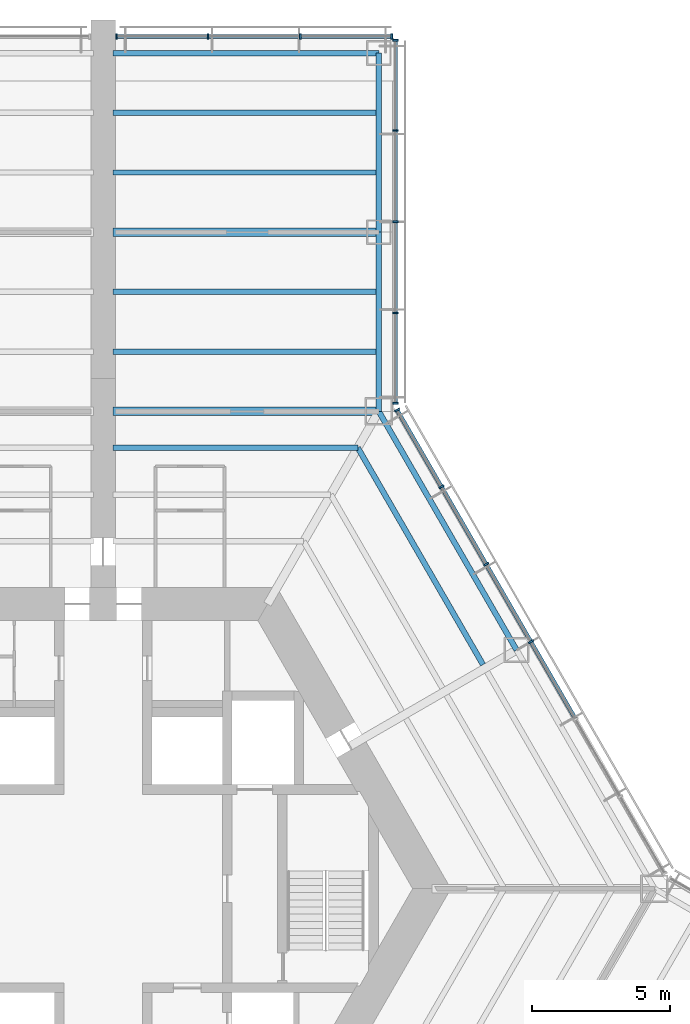
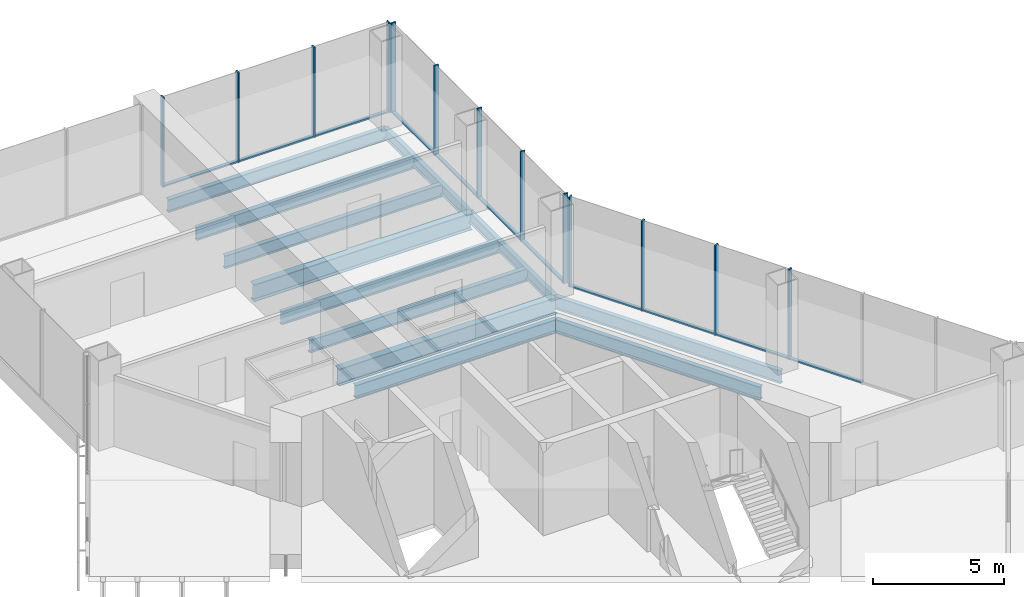
# One storey, part 7 of 15: 24 members, 12 beams, 3 elements without a shape of their own.
"""IFC4 building model written with IfcOpenShell, lengths in metres."""

from ifc_helpers import new_model, si_unit, direction, frame, origin, origin_2d, place, context, subcontext, project, spatial, rectangle, i_section, extrude, material, material_profile, profile_set, type_object, element, aggregate, save


model = new_model("IFC4")

# Units and contexts
model_context = context("Model", 3, precision=1e-05, world=origin(), true_north=direction((0.0, 1.0)))
body_context = subcontext(model_context, "Body", "Model", "MODEL_VIEW")
ifc_project = project(units=[si_unit("LENGTHUNIT", "METRE"), si_unit("AREAUNIT", "SQUARE_METRE"), si_unit("VOLUMEUNIT", "CUBIC_METRE"), si_unit("PLANEANGLEUNIT", "RADIAN"), si_unit("MASSUNIT", "GRAM", prefix="KILO")], contexts=[model_context])

# Site, building, storey
site_placement = place(None, origin())
site = spatial("IfcSite", under=ifc_project, at=site_placement, CompositionType="ELEMENT")
building_placement = place(site_placement, origin())
building = spatial("IfcBuilding", under=site, at=building_placement, Name="Kasaneha Research Tower", CompositionType="ELEMENT")
storey_placement = place(building_placement, frame((0.0, 0.0, 39.39990234375)))
storey = spatial("IfcBuildingStorey", under=building, at=storey_placement, Name="L10", CompositionType="ELEMENT", Elevation=39.39990234375)

# Beams
ifc_material_1 = material(Name="Steel SN490B", Category="steel")
ifc_material_profile_1 = material_profile(ifc_material_1, i_section(OverallWidth=0.199951171875, OverallDepth=0.60009765625, WebThickness=0.010986328125, FlangeThickness=0.01708984375, FilletRadius=0.012939453125, at=origin_2d()), Name="H-600x200x11x17")
ifc_profile_set_1 = profile_set([ifc_material_profile_1], Name="Steel SN490B")
beam_type_1 = type_object("IfcBeamType", Name="B1-2 secondary beam H-600x200x11x17", PredefinedType="JOIST", material=ifc_profile_set_1)
beam_1_placement = place(storey_placement, frame((9.237548828125, 16.0, -0.469970703125), z_axis=(0.500010814234, -0.866019160093, 0.0), x_axis=(0.866019160093, 0.500010814234, 0.0)))
element("IfcBeam", 1, at=beam_1_placement, inside=storey, type_object=beam_type_1, Name="Secondary beam RS030R3 L10", PredefinedType="JOIST", context=body_context, shape_type="SweptSolid", body=[
    extrude(i_section(OverallWidth=0.199951171875, OverallDepth=0.60009765625, WebThickness=0.010986328125, FlangeThickness=0.01708984375, FilletRadius=0.012939453125, at=origin_2d()), origin(), (0.0, 0.0, 1.0), 9.087646484375),
])
beam_2_placement = place(storey_placement, frame((9.237548828125, 16.0, -0.469970703125), z_axis=(-1.0, 0.0, 0.0), x_axis=(0.0, -1.0, 0.0)))
element("IfcBeam", 2, at=beam_2_placement, inside=storey, type_object=beam_type_1, Name="Secondary beam RS090L3 L10", PredefinedType="JOIST", context=body_context, shape_type="SweptSolid", body=[
    extrude(i_section(OverallWidth=0.199951171875, OverallDepth=0.60009765625, WebThickness=0.010986328125, FlangeThickness=0.01708984375, FilletRadius=0.012939453125, at=origin_2d()), origin(), (0.0, 0.0, 1.0), 8.887451171875),
])
ifc_material_2 = material(Name="Steel SN490B", Category="steel")
ifc_material_profile_2 = material_profile(ifc_material_2, i_section(OverallWidth=0.198974609375, OverallDepth=0.595947265625, WebThickness=0.010009765625, FlangeThickness=0.014892578125, FilletRadius=0.012939453125, at=origin_2d()), Name="H-596x199x10x15")
ifc_profile_set_2 = profile_set([ifc_material_profile_2], Name="Steel SN490B")
beam_type_2 = type_object("IfcBeamType", Name="B2-2 secondary beam H-596x199x10x15", PredefinedType="JOIST", material=ifc_profile_set_2)
for number, where, z_axis, x_axis, name in (
    (3, (10.0, 19.487060546875, -0.468017578125), (-1.0, 0.0, 0.0), (0.0, -1.0, 0.0), "Secondary beam WBAP1 L10"),
    (4, (10.0, 21.65380859375, -0.468017578125), (-1.0, 0.0, 0.0), (0.0, -1.0, 0.0), "Secondary beam WBAP2 L10"),
    (5, (10.0, 25.987060546875, -0.468017578125), (-1.0, 0.0, 0.0), (0.0, -1.0, 0.0), "Secondary beam WBAP3 L10"),
    (6, (10.0, 28.15380859375, -0.468017578125), (-1.0, 0.0, 0.0), (0.0, -1.0, 0.0), "Secondary beam WBAP4 L10"),
):
    element("IfcBeam", number, at=place(storey_placement, frame(where, z_axis=z_axis, x_axis=x_axis)), inside=storey, type_object=beam_type_2, Name=name, PredefinedType="JOIST", context=body_context, shape_type="SweptSolid", body=[
        extrude(i_section(OverallWidth=0.198974609375, OverallDepth=0.595947265625, WebThickness=0.010009765625, FlangeThickness=0.014892578125, FilletRadius=0.012939453125, at=origin_2d()), origin(), (0.0, 0.0, 1.0), 9.64990234375),
    ])

# Curtain wall, members
ifc_material_3 = material(Name="Glass and aluminium", Category="aluminium")
curtain_wall_type = type_object("IfcCurtainWallType", Name="Dry laboratory curtain wall", PredefinedType="USERDEFINED", material=ifc_material_3)
curtain_wall_1_placement = place(storey_placement, origin())
curtain_wall_1 = element("IfcCurtainWall", 7, at=curtain_wall_1_placement, inside=storey, type_object=curtain_wall_type, Name="CW-L2 L10 run 07a", ObjectType="UNITISED CURTAIN WALL", PredefinedType="USERDEFINED")
ifc_material_4 = material(Name="Aluminium 6063-T6", Category="aluminium")
ifc_material_profile_3 = material_profile(ifc_material_4, rectangle(XDim=0.06494140625, YDim=0.199951171875, at=origin_2d()), Name="CW-L2 mullion 65x200")
ifc_profile_set_3 = profile_set([ifc_material_profile_3], Name="Aluminium 6063-T6")
member_type_1 = type_object("IfcMemberType", Name="CW-L2 mullion", PredefinedType="MULLION", material=ifc_profile_set_3)
member_1_placement = place(storey_placement, frame((15.51953125, 8.960205078125, 0.0), z_axis=(0.0, 0.0, 1.0), x_axis=(-0.49999996188, 0.866025425793, 0.0)))
member_1 = element("IfcMember", 8, at=member_1_placement, type_object=member_type_1, Name="CW-L2 mullion 4", PredefinedType="MULLION", context=body_context, shape_type="SweptSolid", body=[
    extrude(rectangle(XDim=0.06494140625, YDim=0.199951171875, at=origin_2d()), origin(), (0.0, 0.0, 1.0), 4.2001953125),
])
member_2_placement = place(storey_placement, frame((13.896484375, 11.771728515625, 0.0), z_axis=(0.0, 0.0, 1.0), x_axis=(-0.49999996188, 0.866025425793, 0.0)))
member_2 = element("IfcMember", 9, at=member_2_placement, type_object=member_type_1, Name="CW-L2 mullion 5", PredefinedType="MULLION", context=body_context, shape_type="SweptSolid", body=[
    extrude(rectangle(XDim=0.06494140625, YDim=0.199951171875, at=origin_2d()), origin(), (0.0, 0.0, 1.0), 4.2001953125),
])
member_3_placement = place(storey_placement, frame((12.273193359375, 14.583251953125, 0.0), z_axis=(0.0, 0.0, 1.0), x_axis=(-0.49999996188, 0.866025425793, 0.0)))
member_3 = element("IfcMember", 10, at=member_3_placement, type_object=member_type_1, Name="CW-L2 mullion 6", PredefinedType="MULLION", context=body_context, shape_type="SweptSolid", body=[
    extrude(rectangle(XDim=0.06494140625, YDim=0.199951171875, at=origin_2d()), origin(), (0.0, 0.0, 1.0), 4.2001953125),
])
member_4_placement = place(storey_placement, frame((10.666259765625, 17.366455078125, 0.0), z_axis=(0.0, 0.0, 1.0), x_axis=(-0.49999996188, 0.866025425793, 0.0)))
member_4 = element("IfcMember", 11, at=member_4_placement, type_object=member_type_1, Name="CW-L2 mullion 7", PredefinedType="MULLION", context=body_context, shape_type="SweptSolid", body=[
    extrude(rectangle(XDim=0.06494140625, YDim=0.199951171875, at=origin_2d()), origin(), (0.0, 0.0, 1.0), 4.2001953125),
])

curtain_wall_2_placement = place(storey_placement, origin())
curtain_wall_2 = element("IfcCurtainWall", 12, at=curtain_wall_2_placement, inside=storey, type_object=curtain_wall_type, Name="CW-L2 L10 run 08a", ObjectType="UNITISED CURTAIN WALL", PredefinedType="USERDEFINED")
member_5_placement = place(storey_placement, frame((10.60009765625, 17.61376953125, 0.0), z_axis=(0.0, 0.0, 1.0), x_axis=(0.0, 1.0, 0.0)))
member_5 = element("IfcMember", 13, at=member_5_placement, type_object=member_type_1, Name="CW-L2 mullion 1", PredefinedType="MULLION", context=body_context, shape_type="SweptSolid", body=[
    extrude(rectangle(XDim=0.06494140625, YDim=0.199951171875, at=origin_2d()), origin(), (0.0, 0.0, 1.0), 4.2001953125),
])
member_6_placement = place(storey_placement, frame((10.60009765625, 20.89111328125, 0.0), z_axis=(0.0, 0.0, 1.0), x_axis=(0.0, 1.0, 0.0)))
member_6 = element("IfcMember", 14, at=member_6_placement, type_object=member_type_1, Name="CW-L2 mullion 2", PredefinedType="MULLION", context=body_context, shape_type="SweptSolid", body=[
    extrude(rectangle(XDim=0.06494140625, YDim=0.199951171875, at=origin_2d()), origin(), (0.0, 0.0, 1.0), 4.2001953125),
])
member_7_placement = place(storey_placement, frame((10.60009765625, 24.200927734375, 0.0), z_axis=(0.0, 0.0, 1.0), x_axis=(0.0, 1.0, 0.0)))
member_7 = element("IfcMember", 15, at=member_7_placement, type_object=member_type_1, Name="CW-L2 mullion 3", PredefinedType="MULLION", context=body_context, shape_type="SweptSolid", body=[
    extrude(rectangle(XDim=0.06494140625, YDim=0.199951171875, at=origin_2d()), origin(), (0.0, 0.0, 1.0), 4.2001953125),
])
member_8_placement = place(storey_placement, frame((10.60009765625, 27.5107421875, 0.0), z_axis=(0.0, 0.0, 1.0), x_axis=(0.0, 1.0, 0.0)))
member_8 = element("IfcMember", 16, at=member_8_placement, type_object=member_type_1, Name="CW-L2 mullion 4", PredefinedType="MULLION", context=body_context, shape_type="SweptSolid", body=[
    extrude(rectangle(XDim=0.06494140625, YDim=0.199951171875, at=origin_2d()), origin(), (0.0, 0.0, 1.0), 4.2001953125),
])
member_9_placement = place(storey_placement, frame((10.60009765625, 30.7880859375, 0.0), z_axis=(0.0, 0.0, 1.0), x_axis=(0.0, 1.0, 0.0)))
member_9 = element("IfcMember", 17, at=member_9_placement, type_object=member_type_1, Name="CW-L2 mullion 5", PredefinedType="MULLION", context=body_context, shape_type="SweptSolid", body=[
    extrude(rectangle(XDim=0.06494140625, YDim=0.199951171875, at=origin_2d()), origin(), (0.0, 0.0, 1.0), 4.2001953125),
])

curtain_wall_3_placement = place(storey_placement, origin())
curtain_wall_3 = element("IfcCurtainWall", 18, at=curtain_wall_3_placement, inside=storey, type_object=curtain_wall_type, Name="CW-L2 L10 run 09a", ObjectType="UNITISED CURTAIN WALL", PredefinedType="USERDEFINED")
member_10_placement = place(storey_placement, frame((10.467529296875, 30.92041015625, 0.0), z_axis=(0.0, 0.0, 1.0), x_axis=(-1.0, 0.0, 0.0)))
member_10 = element("IfcMember", 19, at=member_10_placement, type_object=member_type_1, Name="CW-L2 mullion 1", PredefinedType="MULLION", context=body_context, shape_type="SweptSolid", body=[
    extrude(rectangle(XDim=0.06494140625, YDim=0.199951171875, at=origin_2d()), origin(), (0.0, 0.0, 1.0), 4.2001953125),
])
member_11_placement = place(storey_placement, frame((7.14990234375, 30.92041015625, 0.0), z_axis=(0.0, 0.0, 1.0), x_axis=(-1.0, 0.0, 0.0)))
member_11 = element("IfcMember", 20, at=member_11_placement, type_object=member_type_1, Name="CW-L2 mullion 2", PredefinedType="MULLION", context=body_context, shape_type="SweptSolid", body=[
    extrude(rectangle(XDim=0.06494140625, YDim=0.199951171875, at=origin_2d()), origin(), (0.0, 0.0, 1.0), 4.2001953125),
])
member_12_placement = place(storey_placement, frame((3.800048828125, 30.92041015625, 0.0), z_axis=(0.0, 0.0, 1.0), x_axis=(-1.0, 0.0, 0.0)))
member_12 = element("IfcMember", 21, at=member_12_placement, type_object=member_type_1, Name="CW-L2 mullion 3", PredefinedType="MULLION", context=body_context, shape_type="SweptSolid", body=[
    extrude(rectangle(XDim=0.06494140625, YDim=0.199951171875, at=origin_2d()), origin(), (0.0, 0.0, 1.0), 4.2001953125),
])
member_13_placement = place(storey_placement, frame((0.482421875, 30.92041015625, 0.0), z_axis=(0.0, 0.0, 1.0), x_axis=(-1.0, 0.0, 0.0)))
member_13 = element("IfcMember", 22, at=member_13_placement, type_object=member_type_1, Name="CW-L2 mullion 4", PredefinedType="MULLION", context=body_context, shape_type="SweptSolid", body=[
    extrude(rectangle(XDim=0.06494140625, YDim=0.199951171875, at=origin_2d()), origin(), (0.0, 0.0, 1.0), 4.2001953125),
])

# Member
ifc_material_5 = material(Name="Aluminium 6063-T6", Category="aluminium")
ifc_material_profile_4 = material_profile(ifc_material_5, rectangle(XDim=0.14990234375, YDim=0.06494140625, at=origin_2d()), Name="CW-L2 transom 150x65")
ifc_profile_set_4 = profile_set([ifc_material_profile_4], Name="Aluminium 6063-T6")
member_type_2 = type_object("IfcMemberType", Name="CW-L2 transom", PredefinedType="USERDEFINED", material=ifc_profile_set_4)
member_14_placement = place(storey_placement, frame((17.12646484375, 6.177001953125, 0.03271484375), z_axis=(-0.499977104415, 0.866038622153, 0.0), x_axis=(-0.866038622153, -0.499977104415, 0.0)))
member_14 = element("IfcMember", 23, at=member_14_placement, type_object=member_type_2, Name="CW-L2 transom 3", ObjectType="TRANSOM", PredefinedType="USERDEFINED", context=body_context, shape_type="SweptSolid", body=[
    extrude(rectangle(XDim=0.14990234375, YDim=0.06494140625, at=origin_2d()), origin(), (0.0, 0.0, 1.0), 3.181396484375),
])

member_15_placement = place(storey_placement, frame((15.50341796875, 8.98828125, 0.03271484375), z_axis=(-0.500001430823, 0.866024577697, 0.0), x_axis=(-0.866024577697, -0.500001430823, 0.0)))
member_15 = element("IfcMember", 24, at=member_15_placement, type_object=member_type_2, Name="CW-L2 transom 4", ObjectType="TRANSOM", PredefinedType="USERDEFINED", context=body_context, shape_type="SweptSolid", body=[
    extrude(rectangle(XDim=0.14990234375, YDim=0.06494140625, at=origin_2d()), origin(), (0.0, 0.0, 1.0), 3.181640625),
])

member_16_placement = place(storey_placement, frame((13.880126953125, 11.7998046875, 0.03271484375), z_axis=(-0.499943876812, 0.866057804098, 0.0), x_axis=(-0.866057804098, -0.499943876812, 0.0)))
member_16 = element("IfcMember", 25, at=member_16_placement, type_object=member_type_2, Name="CW-L2 transom 5", ObjectType="TRANSOM", PredefinedType="USERDEFINED", context=body_context, shape_type="SweptSolid", body=[
    extrude(rectangle(XDim=0.14990234375, YDim=0.06494140625, at=origin_2d()), origin(), (0.0, 0.0, 1.0), 3.181396484375),
])

member_17_placement = place(storey_placement, frame((12.2568359375, 14.611328125, 0.03271484375), z_axis=(-0.499941702305, 0.866059059358, 0.0), x_axis=(-0.866059059358, -0.499941702305, 0.0)))
member_17 = element("IfcMember", 26, at=member_17_placement, type_object=member_type_2, Name="CW-L2 transom 6", ObjectType="TRANSOM", PredefinedType="USERDEFINED", context=body_context, shape_type="SweptSolid", body=[
    extrude(rectangle(XDim=0.14990234375, YDim=0.06494140625, at=origin_2d()), origin(), (0.0, 0.0, 1.0), 3.14892578125),
])

aggregate(curtain_wall_1, [member_1, member_2, member_3, member_4, member_14, member_15, member_16, member_17])

member_18_placement = place(storey_placement, frame((10.60009765625, 17.646240234375, 0.03271484375), z_axis=(0.0, 1.0, 0.0), x_axis=(-1.0, 0.0, 0.0)))
member_18 = element("IfcMember", 27, at=member_18_placement, type_object=member_type_2, Name="CW-L2 transom 1", ObjectType="TRANSOM", PredefinedType="USERDEFINED", context=body_context, shape_type="SweptSolid", body=[
    extrude(rectangle(XDim=0.14990234375, YDim=0.06494140625, at=origin_2d()), origin(), (0.0, 0.0, 1.0), 3.21240234375),
])

member_19_placement = place(storey_placement, frame((10.60009765625, 20.923583984375, 0.03271484375), z_axis=(0.0, 1.0, 0.0), x_axis=(-1.0, 0.0, 0.0)))
member_19 = element("IfcMember", 28, at=member_19_placement, type_object=member_type_2, Name="CW-L2 transom 2", ObjectType="TRANSOM", PredefinedType="USERDEFINED", context=body_context, shape_type="SweptSolid", body=[
    extrude(rectangle(XDim=0.14990234375, YDim=0.06494140625, at=origin_2d()), origin(), (0.0, 0.0, 1.0), 3.244873046875),
])

member_20_placement = place(storey_placement, frame((10.60009765625, 24.2333984375, 0.03271484375), z_axis=(0.0, 1.0, 0.0), x_axis=(-1.0, 0.0, 0.0)))
member_20 = element("IfcMember", 29, at=member_20_placement, type_object=member_type_2, Name="CW-L2 transom 3", ObjectType="TRANSOM", PredefinedType="USERDEFINED", context=body_context, shape_type="SweptSolid", body=[
    extrude(rectangle(XDim=0.14990234375, YDim=0.06494140625, at=origin_2d()), origin(), (0.0, 0.0, 1.0), 3.244873046875),
])

member_21_placement = place(storey_placement, frame((10.60009765625, 27.543212890625, 0.03271484375), z_axis=(0.0, 1.0, 0.0), x_axis=(-1.0, 0.0, 0.0)))
member_21 = element("IfcMember", 30, at=member_21_placement, type_object=member_type_2, Name="CW-L2 transom 4", ObjectType="TRANSOM", PredefinedType="USERDEFINED", context=body_context, shape_type="SweptSolid", body=[
    extrude(rectangle(XDim=0.14990234375, YDim=0.06494140625, at=origin_2d()), origin(), (0.0, 0.0, 1.0), 3.21240234375),
])

aggregate(curtain_wall_2, [member_5, member_6, member_7, member_8, member_9, member_18, member_19, member_20, member_21])

member_22_placement = place(storey_placement, frame((10.43505859375, 30.92041015625, 0.03271484375), z_axis=(-1.0, 0.0, 0.0), x_axis=(0.0, -1.0, 0.0)))
member_22 = element("IfcMember", 31, at=member_22_placement, type_object=member_type_2, Name="CW-L2 transom 1", ObjectType="TRANSOM", PredefinedType="USERDEFINED", context=body_context, shape_type="SweptSolid", body=[
    extrude(rectangle(XDim=0.14990234375, YDim=0.06494140625, at=origin_2d()), origin(), (0.0, 0.0, 1.0), 3.25244140625),
])

member_23_placement = place(storey_placement, frame((7.117431640625, 30.92041015625, 0.03271484375), z_axis=(-1.0, 0.0, 0.0), x_axis=(0.0, -1.0, 0.0)))
member_23 = element("IfcMember", 32, at=member_23_placement, type_object=member_type_2, Name="CW-L2 transom 2", ObjectType="TRANSOM", PredefinedType="USERDEFINED", context=body_context, shape_type="SweptSolid", body=[
    extrude(rectangle(XDim=0.14990234375, YDim=0.06494140625, at=origin_2d()), origin(), (0.0, 0.0, 1.0), 3.284912109375),
])

member_24_placement = place(storey_placement, frame((3.767578125, 30.92041015625, 0.03271484375), z_axis=(-1.0, 0.0, 0.0), x_axis=(0.0, -1.0, 0.0)))
member_24 = element("IfcMember", 33, at=member_24_placement, type_object=member_type_2, Name="CW-L2 transom 3", ObjectType="TRANSOM", PredefinedType="USERDEFINED", context=body_context, shape_type="SweptSolid", body=[
    extrude(rectangle(XDim=0.14990234375, YDim=0.06494140625, at=origin_2d()), origin(), (0.0, 0.0, 1.0), 3.252685546875),
])

aggregate(curtain_wall_3, [member_10, member_11, member_12, member_13, member_22, member_23, member_24])

# Beams
ifc_material_6 = material(Name="Steel SN490B", Category="steel")
ifc_material_profile_5 = material_profile(ifc_material_6, i_section(OverallWidth=0.300048828125, OverallDepth=0.7919921875, WebThickness=0.013916015625, FlangeThickness=0.02197265625, FilletRadius=0.01806640625, at=origin_2d()), Name="H-792x300x14x22")
ifc_profile_set_5 = profile_set([ifc_material_profile_5], Name="Steel SN490B")
beam_type_3 = type_object("IfcBeamType", Name="G3-2 plate edge girder H-792x300x14x22", PredefinedType="BEAM", material=ifc_profile_set_5)
beam_3_placement = place(storey_placement, frame((10.0, 17.320556640625, -0.56591796875), z_axis=(-1.0, 0.0, 0.0), x_axis=(0.0, -1.0, 0.0)))
element("IfcBeam", 34, at=beam_3_placement, inside=storey, type_object=beam_type_3, Name="Plate edge girder PEAP L10", PredefinedType="BEAM", context=body_context, shape_type="SweptSolid", body=[
    extrude(i_section(OverallWidth=0.300048828125, OverallDepth=0.7919921875, WebThickness=0.013916015625, FlangeThickness=0.02197265625, FilletRadius=0.01806640625, at=origin_2d()), origin(), (0.0, 0.0, 1.0), 9.64990234375),
])
ifc_material_7 = material(Name="Steel SN490B", Category="steel")
ifc_material_profile_6 = material_profile(ifc_material_7, i_section(OverallWidth=0.300048828125, OverallDepth=0.800048828125, WebThickness=0.013916015625, FlangeThickness=0.02587890625, FilletRadius=0.01806640625, at=origin_2d()), Name="H-800x300x14x26")
ifc_profile_set_6 = profile_set([ifc_material_profile_6], Name="Steel SN490B")
beam_type_4 = type_object("IfcBeamType", Name="G4-2 wing girder H-800x300x14x26", PredefinedType="BEAM", material=ifc_profile_set_6)
beam_4_placement = place(storey_placement, frame((10.0, 23.820556640625, -0.56982421875), z_axis=(-1.0, 0.0, 0.0), x_axis=(0.0, -1.0, 0.0)))
element("IfcBeam", 35, at=beam_4_placement, inside=storey, type_object=beam_type_4, Name="Wing girder WGAP L10", PredefinedType="BEAM", context=body_context, shape_type="SweptSolid", body=[
    extrude(i_section(OverallWidth=0.300048828125, OverallDepth=0.800048828125, WebThickness=0.013916015625, FlangeThickness=0.02587890625, FilletRadius=0.01806640625, at=origin_2d()), origin(), (0.0, 0.0, 1.0), 9.64990234375),
])
ifc_material_8 = material(Name="Steel SN490B", Category="steel")
ifc_material_profile_7 = material_profile(ifc_material_8, i_section(OverallWidth=0.199951171875, OverallDepth=0.60009765625, WebThickness=0.010986328125, FlangeThickness=0.01708984375, FilletRadius=0.012939453125, at=origin_2d()), Name="H-600x200x11x17")
ifc_profile_set_7 = profile_set([ifc_material_profile_7], Name="Steel SN490B")
beam_type_5 = type_object("IfcBeamType", Name="SB1-2 spandrel beam H-600x200x11x17", PredefinedType="SPANDREL", material=ifc_profile_set_7)
beam_5_placement = place(storey_placement, frame((10.0, 17.320556640625, -0.469970703125), z_axis=(0.499993662806, -0.866029062534, 0.0), x_axis=(0.866029062534, 0.499993662806, 0.0)))
element("IfcBeam", 36, at=beam_5_placement, inside=storey, type_object=beam_type_5, Name="Spandrel beam SR030R L10", PredefinedType="SPANDREL", context=body_context, shape_type="SweptSolid", body=[
    extrude(i_section(OverallWidth=0.199951171875, OverallDepth=0.60009765625, WebThickness=0.010986328125, FlangeThickness=0.01708984375, FilletRadius=0.012939453125, at=origin_2d()), origin(), (0.0, 0.0, 1.0), 10.000244140625),
])
ifc_material_9 = material(Name="Steel SN490B", Category="steel")
ifc_material_profile_8 = material_profile(ifc_material_9, i_section(OverallWidth=0.199951171875, OverallDepth=0.5, WebThickness=0.010009765625, FlangeThickness=0.01611328125, FilletRadius=0.012939453125, at=origin_2d()), Name="H-500x200x10x16")
ifc_profile_set_8 = profile_set([ifc_material_profile_8], Name="Steel SN490B")
beam_type_6 = type_object("IfcBeamType", Name="SB2-2 spandrel beam H-500x200x10x16", PredefinedType="SPANDREL", material=ifc_profile_set_8)
for number, where, z_axis, x_axis, name in (
    (37, (10.0, 17.320556640625, -0.419921875), (0.0, 1.0, 0.0), (-1.0, 0.0, 0.0), "Spandrel beam WSAP1 L10"),
    (38, (10.0, 23.820556640625, -0.419921875), (0.0, 1.0, 0.0), (-1.0, 0.0, 0.0), "Spandrel beam WSAP2 L10"),
):
    element("IfcBeam", number, at=place(storey_placement, frame(where, z_axis=z_axis, x_axis=x_axis)), inside=storey, type_object=beam_type_6, Name=name, PredefinedType="SPANDREL", context=body_context, shape_type="SweptSolid", body=[
        extrude(i_section(OverallWidth=0.199951171875, OverallDepth=0.5, WebThickness=0.010009765625, FlangeThickness=0.01611328125, FilletRadius=0.012939453125, at=origin_2d()), origin(), (0.0, 0.0, 1.0), 6.5),
    ])
ifc_material_10 = material(Name="Steel SN490B", Category="steel")
ifc_material_profile_9 = material_profile(ifc_material_10, i_section(OverallWidth=0.199951171875, OverallDepth=0.60009765625, WebThickness=0.010986328125, FlangeThickness=0.01708984375, FilletRadius=0.012939453125, at=origin_2d()), Name="H-600x200x11x17")
ifc_profile_set_9 = profile_set([ifc_material_profile_9], Name="Steel SN490B")
beam_type_7 = type_object("IfcBeamType", Name="SB3-2 spandrel beam H-600x200x11x17", PredefinedType="SPANDREL", material=ifc_profile_set_9)
beam_6_placement = place(storey_placement, frame((10.0, 30.320556640625, -0.469970703125), z_axis=(-1.0, 0.0, 0.0), x_axis=(0.0, -1.0, 0.0)))
element("IfcBeam", 39, at=beam_6_placement, inside=storey, type_object=beam_type_7, Name="Spandrel beam WTAP L10", PredefinedType="SPANDREL", context=body_context, shape_type="SweptSolid", body=[
    extrude(i_section(OverallWidth=0.199951171875, OverallDepth=0.60009765625, WebThickness=0.010986328125, FlangeThickness=0.01708984375, FilletRadius=0.012939453125, at=origin_2d()), origin(), (0.0, 0.0, 1.0), 9.64990234375),
])

save(model, "model.ifc")
